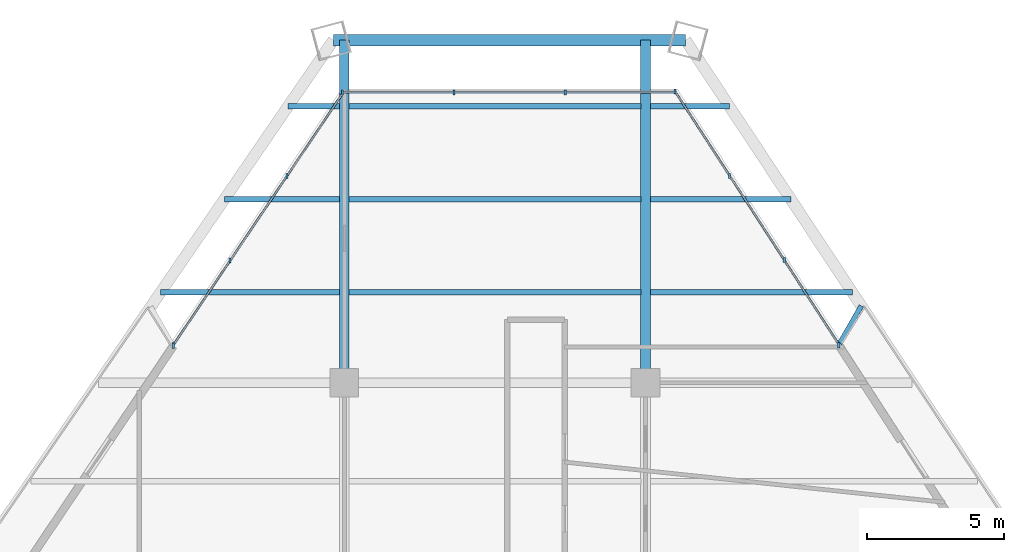
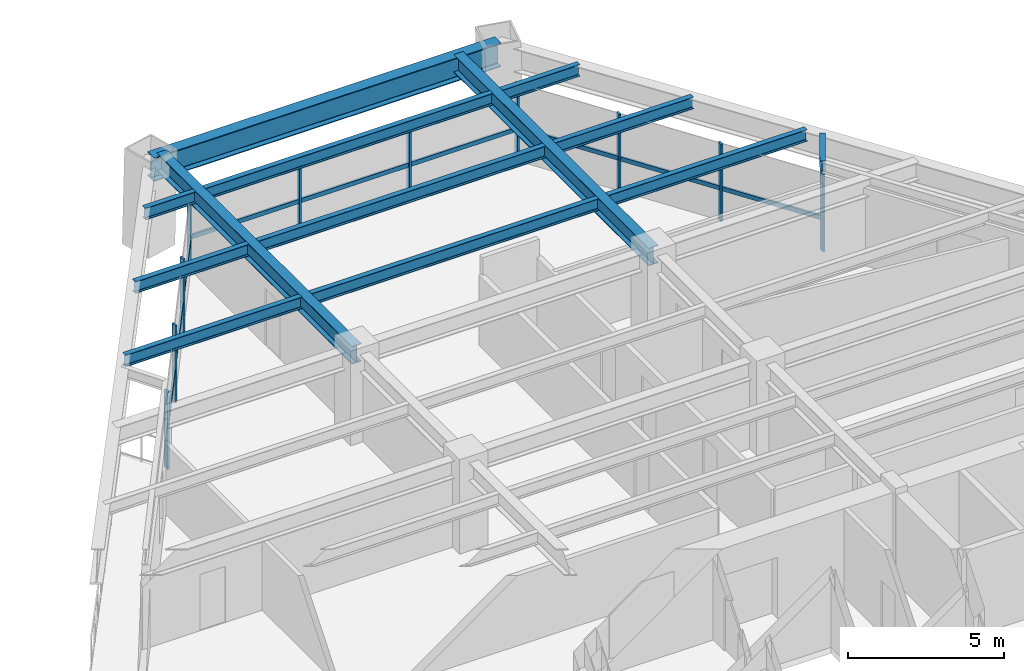
# One storey, part 8 of 14: 20 members, 13 beams, 3 elements without a shape of their own.
"""IFC4 building model written with IfcOpenShell, lengths in metres."""

from ifc_helpers import new_model, si_unit, direction, frame, origin, origin_2d, place, context, subcontext, project, spatial, rectangle, i_section, extrude, source, transform, mapped, material, material_profile, profile_set, type_object, element, aggregate, save


model = new_model("IFC4")

# Units and contexts
model_context = context("Model", 3, precision=1e-05, world=origin(), true_north=direction((0.0, 1.0)))
body_context = subcontext(model_context, "Body", "Model", "MODEL_VIEW")
ifc_project = project(units=[si_unit("LENGTHUNIT", "METRE"), si_unit("AREAUNIT", "SQUARE_METRE"), si_unit("VOLUMEUNIT", "CUBIC_METRE"), si_unit("PLANEANGLEUNIT", "RADIAN"), si_unit("MASSUNIT", "GRAM", prefix="KILO")], contexts=[model_context])

# Site, building, storey
site_placement = place(None, origin())
site = spatial("IfcSite", under=ifc_project, at=site_placement, CompositionType="ELEMENT")
building_placement = place(site_placement, origin())
building = spatial("IfcBuilding", under=site, at=building_placement, Name="Varnakhor Terracotta Tower", CompositionType="ELEMENT")
storey_placement = place(building_placement, frame((0.0, 0.0, 95.10009765625)))
storey = spatial("IfcBuildingStorey", under=building, at=storey_placement, Name="L23", CompositionType="ELEMENT", Elevation=95.10009765625)

# Beams
ifc_material_1 = material(Name="Steel S355", Category="steel")
ifc_material_profile_1 = material_profile(ifc_material_1, i_section(OverallWidth=0.19189453125, OverallDepth=0.462890625, WebThickness=0.010498046875, FlangeThickness=0.017578125, FilletRadius=0.01806640625, at=origin_2d()), Name="W18X60")
ifc_profile_set_1 = profile_set([ifc_material_profile_1], Name="Steel S355")
beam_type_1 = type_object("IfcBeamType", Name="JST-W18X60", PredefinedType="JOIST", material=ifc_profile_set_1)
shared_shape_1 = source(origin(), body_context, "Body", "SweptSolid", [
    extrude(i_section(OverallWidth=0.19189453125, OverallDepth=0.462890625, WebThickness=0.010498046875, FlangeThickness=0.017578125, FilletRadius=0.01806640625, at=origin_2d()), origin(), (0.0, 0.0, 1.0), 10.65283203125),
])
for number, where, z_axis, x_axis, name in (
    (1, (-5.326416015625, 34.800048828125, 3.218505859375), (1.0, 0.0, 0.0), (0.0, 1.0, 0.0), "L23 Composite Floor Joist 7-2"),
    (2, (-5.326416015625, 38.199951171875, 3.218505859375), (1.0, 0.0, 0.0), (0.0, 1.0, 0.0), "L23 Composite Floor Joist 8-2"),
    (3, (-5.326416015625, 41.60009765625, 3.218505859375), (1.0, 0.0, 0.0), (0.0, 1.0, 0.0), "L23 Composite Floor Joist 9-2"),
):
    element("IfcBeam", number, at=place(storey_placement, frame(where, z_axis=z_axis, x_axis=x_axis)), inside=storey, type_object=beam_type_1, Name=name, PredefinedType="JOIST", context=body_context, shape_type="MappedRepresentation", body=[
        mapped(shared_shape_1, transform((0.0, 0.0, 0.0), scale=1.0)),
    ])
ifc_material_profile_2 = material_profile(ifc_material_1, i_section(OverallWidth=0.41796875, OverallDepth=0.927001953125, WebThickness=0.01904296875, FlangeThickness=0.031982421875, FilletRadius=0.01806640625, at=origin_2d()), Name="W36X231")
ifc_profile_set_2 = profile_set([ifc_material_profile_2], Name="Steel S355")
beam_type_2 = type_object("IfcBeamType", Name="BM-W36X231", PredefinedType="BEAM", material=ifc_profile_set_2)
shared_shape_2 = source(origin(), body_context, "Body", "SweptSolid", [
    extrude(i_section(OverallWidth=0.41796875, OverallDepth=0.927001953125, WebThickness=0.01904296875, FlangeThickness=0.031982421875, FilletRadius=0.01806640625, at=origin_2d()), origin(), (0.0, 0.0, 1.0), 12.86083984375),
])
beam_1_placement = place(storey_placement, frame((6.963134765625, 44.014404296875, 2.986328125), z_axis=(-1.0, 0.0, 0.0), x_axis=(0.0, -1.0, 0.0)))
element("IfcBeam", 4, at=beam_1_placement, inside=storey, type_object=beam_type_2, Name="L23 Perimeter Spandrel 5", PredefinedType="BEAM", context=body_context, shape_type="MappedRepresentation", body=[
    mapped(shared_shape_2, transform((0.0, 0.0, 0.0), scale=1.0)),
])
ifc_material_profile_3 = material_profile(ifc_material_1, i_section(OverallWidth=0.35498046875, OverallDepth=0.695068359375, WebThickness=0.014892578125, FlangeThickness=0.02490234375, FilletRadius=0.01806640625, at=origin_2d()), Name="W27X146")
ifc_profile_set_3 = profile_set([ifc_material_profile_3], Name="Steel S355")
beam_type_3 = type_object("IfcBeamType", Name="BM-W27X146", PredefinedType="BEAM", material=ifc_profile_set_3)
shared_shape_3 = source(origin(), body_context, "Body", "SweptSolid", [
    extrude(i_section(OverallWidth=0.35498046875, OverallDepth=0.695068359375, WebThickness=0.014892578125, FlangeThickness=0.02490234375, FilletRadius=0.01806640625, at=origin_2d()), origin(), (0.0, 0.0, 1.0), 12.514404296875),
])
for number, where, z_axis, x_axis, name in (
    (5, (-5.5, 31.5, 3.102294921875), (0.0, 1.0, 0.0), (-1.0, 0.0, 0.0), "L23 Primary Girder NS3-W"),
    (6, (5.5, 31.5, 3.102294921875), (0.0, 1.0, 0.0), (-1.0, 0.0, 0.0), "L23 Primary Girder NS3-E"),
):
    element("IfcBeam", number, at=place(storey_placement, frame(where, z_axis=z_axis, x_axis=x_axis)), inside=storey, type_object=beam_type_3, Name=name, PredefinedType="BEAM", context=body_context, shape_type="MappedRepresentation", body=[
        mapped(shared_shape_3, transform((0.0, 0.0, 0.0), scale=1.0)),
    ])
shared_shape_4 = source(origin(), body_context, "Body", "SweptSolid", [
    extrude(i_section(OverallWidth=0.19189453125, OverallDepth=0.462890625, WebThickness=0.010498046875, FlangeThickness=0.017578125, FilletRadius=0.01806640625, at=origin_2d()), origin(), (0.0, 0.0, 1.0), 6.539306640625),
])
beam_2_placement = place(storey_placement, frame((-12.212890625, 34.800048828125, 3.218505859375), z_axis=(1.0, 0.0, 0.0), x_axis=(0.0, 1.0, 0.0)))
element("IfcBeam", 7, at=beam_2_placement, inside=storey, type_object=beam_type_1, Name="L23 Composite Floor Joist 7-1", PredefinedType="JOIST", context=body_context, shape_type="MappedRepresentation", body=[
    mapped(shared_shape_4, transform((0.0, 0.0, 0.0), scale=1.0)),
])
shared_shape_5 = source(origin(), body_context, "Body", "SweptSolid", [
    extrude(i_section(OverallWidth=0.19189453125, OverallDepth=0.462890625, WebThickness=0.010498046875, FlangeThickness=0.017578125, FilletRadius=0.01806640625, at=origin_2d()), origin(), (0.0, 0.0, 1.0), 7.3818359375),
])
beam_3_placement = place(storey_placement, frame((5.673583984375, 34.800048828125, 3.218505859375), z_axis=(1.0, 0.0, 0.0), x_axis=(0.0, 1.0, 0.0)))
element("IfcBeam", 8, at=beam_3_placement, inside=storey, type_object=beam_type_1, Name="L23 Composite Floor Joist 7-3", PredefinedType="JOIST", context=body_context, shape_type="MappedRepresentation", body=[
    mapped(shared_shape_5, transform((0.0, 0.0, 0.0), scale=1.0)),
])
shared_shape_6 = source(origin(), body_context, "Body", "SweptSolid", [
    extrude(i_section(OverallWidth=0.19189453125, OverallDepth=0.462890625, WebThickness=0.010498046875, FlangeThickness=0.017578125, FilletRadius=0.01806640625, at=origin_2d()), origin(), (0.0, 0.0, 1.0), 4.208984375),
])
beam_4_placement = place(storey_placement, frame((-9.882568359375, 38.199951171875, 3.218505859375), z_axis=(1.0, 0.0, 0.0), x_axis=(0.0, 1.0, 0.0)))
element("IfcBeam", 9, at=beam_4_placement, inside=storey, type_object=beam_type_1, Name="L23 Composite Floor Joist 8-1", PredefinedType="JOIST", context=body_context, shape_type="MappedRepresentation", body=[
    mapped(shared_shape_6, transform((0.0, 0.0, 0.0), scale=1.0)),
])
shared_shape_7 = source(origin(), body_context, "Body", "SweptSolid", [
    extrude(i_section(OverallWidth=0.19189453125, OverallDepth=0.462890625, WebThickness=0.010498046875, FlangeThickness=0.017578125, FilletRadius=0.01806640625, at=origin_2d()), origin(), (0.0, 0.0, 1.0), 5.1337890625),
])
beam_5_placement = place(storey_placement, frame((5.673583984375, 38.199951171875, 3.218505859375), z_axis=(1.0, 0.0, 0.0), x_axis=(0.0, 1.0, 0.0)))
element("IfcBeam", 10, at=beam_5_placement, inside=storey, type_object=beam_type_1, Name="L23 Composite Floor Joist 8-3", PredefinedType="JOIST", context=body_context, shape_type="MappedRepresentation", body=[
    mapped(shared_shape_7, transform((0.0, 0.0, 0.0), scale=1.0)),
])
shared_shape_8 = source(origin(), body_context, "Body", "SweptSolid", [
    extrude(i_section(OverallWidth=0.19189453125, OverallDepth=0.462890625, WebThickness=0.010498046875, FlangeThickness=0.017578125, FilletRadius=0.01806640625, at=origin_2d()), origin(), (0.0, 0.0, 1.0), 1.878662109375),
])
beam_6_placement = place(storey_placement, frame((-7.55224609375, 41.60009765625, 3.218505859375), z_axis=(1.0, 0.0, 0.0), x_axis=(0.0, 1.0, 0.0)))
element("IfcBeam", 11, at=beam_6_placement, inside=storey, type_object=beam_type_1, Name="L23 Composite Floor Joist 9-1", PredefinedType="JOIST", context=body_context, shape_type="MappedRepresentation", body=[
    mapped(shared_shape_8, transform((0.0, 0.0, 0.0), scale=1.0)),
])
shared_shape_9 = source(origin(), body_context, "Body", "SweptSolid", [
    extrude(i_section(OverallWidth=0.19189453125, OverallDepth=0.462890625, WebThickness=0.010498046875, FlangeThickness=0.017578125, FilletRadius=0.01806640625, at=origin_2d()), origin(), (0.0, 0.0, 1.0), 2.8857421875),
])
beam_7_placement = place(storey_placement, frame((5.673583984375, 41.60009765625, 3.218505859375), z_axis=(1.0, 0.0, 0.0), x_axis=(0.0, 1.0, 0.0)))
element("IfcBeam", 12, at=beam_7_placement, inside=storey, type_object=beam_type_1, Name="L23 Composite Floor Joist 9-3", PredefinedType="JOIST", context=body_context, shape_type="MappedRepresentation", body=[
    mapped(shared_shape_9, transform((0.0, 0.0, 0.0), scale=1.0)),
])

# Curtain wall, members
ifc_material_2 = material(Name="Anodised Aluminium Curtain Wall System", Category="aluminium")
curtain_wall_type = type_object("IfcCurtainWallType", Name="CW-SYS-LOW-OFFICE", PredefinedType="NOTDEFINED", material=ifc_material_2)
curtain_wall_1_placement = place(storey_placement, origin())
curtain_wall_1 = element("IfcCurtainWall", 13, at=curtain_wall_1_placement, inside=storey, type_object=curtain_wall_type, Name="L23 W Facet Curtain Wall 2", PredefinedType="NOTDEFINED")
ifc_material_3 = material(Name="Anodised Aluminium 6063-T6", Category="aluminium")
ifc_material_profile_4 = material_profile(ifc_material_3, rectangle(XDim=0.074951171875, YDim=0.18505859375, at=origin_2d()), Name="ALU MULLION 75x185")
ifc_profile_set_4 = profile_set([ifc_material_profile_4], Name="Anodised Aluminium 6063-T6")
member_type_1 = type_object("IfcMemberType", Name="CWM-02", PredefinedType="MULLION", material=ifc_profile_set_4)
shared_shape_10 = source(origin(), body_context, "Body", "SweptSolid", [
    extrude(rectangle(XDim=0.074951171875, YDim=0.18505859375, at=origin_2d()), origin(), (0.0, 0.0, 1.0), 3.02978515625),
])
member_1_placement = place(storey_placement, frame((-11.75048828125, 32.869384765625, 0.0), z_axis=(0.0, 0.0, 1.0), x_axis=(1.0, 0.0, 0.0)))
member_1 = element("IfcMember", 14, at=member_1_placement, type_object=member_type_1, Name="L23 W Facet Curtain Wall 2 Mullion 1", PredefinedType="MULLION", context=body_context, shape_type="MappedRepresentation", body=[
    mapped(shared_shape_10, transform((0.0, 0.0, 0.0), scale=1.0)),
])
member_2_placement = place(storey_placement, frame((-9.673828125, 35.95751953125, 0.0), z_axis=(0.0, 0.0, 1.0), x_axis=(1.0, 0.0, 0.0)))
member_2 = element("IfcMember", 15, at=member_2_placement, type_object=member_type_1, Name="L23 W Facet Curtain Wall 2 Mullion 2", PredefinedType="MULLION", context=body_context, shape_type="MappedRepresentation", body=[
    mapped(shared_shape_10, transform((0.0, 0.0, 0.0), scale=1.0)),
])
member_3_placement = place(storey_placement, frame((-7.59716796875, 39.04541015625, 0.0), z_axis=(0.0, 0.0, 1.0), x_axis=(1.0, 0.0, 0.0)))
member_3 = element("IfcMember", 16, at=member_3_placement, type_object=member_type_1, Name="L23 W Facet Curtain Wall 2 Mullion 3", PredefinedType="MULLION", context=body_context, shape_type="MappedRepresentation", body=[
    mapped(shared_shape_10, transform((0.0, 0.0, 0.0), scale=1.0)),
])
member_4_placement = place(storey_placement, frame((-11.75048828125, 32.83349609375, 0.0), z_axis=(0.0, 0.0, 1.0), x_axis=(1.0, 0.0, 0.0)))
member_4 = element("IfcMember", 17, at=member_4_placement, type_object=member_type_1, Name="L23 W Loggia Jamb Closure Mullion 2", PredefinedType="MULLION", context=body_context, shape_type="MappedRepresentation", body=[
    mapped(shared_shape_10, transform((0.0, 0.0, 0.0), scale=1.0)),
])

curtain_wall_2_placement = place(storey_placement, origin())
curtain_wall_2 = element("IfcCurtainWall", 18, at=curtain_wall_2_placement, inside=storey, type_object=curtain_wall_type, Name="L23 Facet Curtain Wall 2", PredefinedType="NOTDEFINED")
member_5_placement = place(storey_placement, frame((-5.573486328125, 42.10498046875, 0.0), z_axis=(0.0, 0.0, 1.0), x_axis=(1.0, 0.0, 0.0)))
member_5 = element("IfcMember", 19, at=member_5_placement, type_object=member_type_1, Name="L23 Facet Curtain Wall 2 Mullion 1", PredefinedType="MULLION", context=body_context, shape_type="MappedRepresentation", body=[
    mapped(shared_shape_10, transform((0.0, 0.0, 0.0), scale=1.0)),
])
member_6_placement = place(storey_placement, frame((-1.502685546875, 42.10498046875, 0.0), z_axis=(0.0, 0.0, 1.0), x_axis=(1.0, 0.0, 0.0)))
member_6 = element("IfcMember", 20, at=member_6_placement, type_object=member_type_1, Name="L23 Facet Curtain Wall 2 Mullion 2", PredefinedType="MULLION", context=body_context, shape_type="MappedRepresentation", body=[
    mapped(shared_shape_10, transform((0.0, 0.0, 0.0), scale=1.0)),
])
member_7_placement = place(storey_placement, frame((2.568115234375, 42.10498046875, 0.0), z_axis=(0.0, 0.0, 1.0), x_axis=(1.0, 0.0, 0.0)))
member_7 = element("IfcMember", 21, at=member_7_placement, type_object=member_type_1, Name="L23 Facet Curtain Wall 2 Mullion 3", PredefinedType="MULLION", context=body_context, shape_type="MappedRepresentation", body=[
    mapped(shared_shape_10, transform((0.0, 0.0, 0.0), scale=1.0)),
])

curtain_wall_3_placement = place(storey_placement, origin())
curtain_wall_3 = element("IfcCurtainWall", 22, at=curtain_wall_3_placement, inside=storey, type_object=curtain_wall_type, Name="L23 E Facet Curtain Wall 1", PredefinedType="NOTDEFINED")
member_8_placement = place(storey_placement, frame((6.584228515625, 42.134521484375, 0.0), z_axis=(0.0, 0.0, 1.0), x_axis=(1.0, 0.0, 0.0)))
member_8 = element("IfcMember", 23, at=member_8_placement, type_object=member_type_1, Name="L23 E Facet Curtain Wall 1 Mullion 1", PredefinedType="MULLION", context=body_context, shape_type="MappedRepresentation", body=[
    mapped(shared_shape_10, transform((0.0, 0.0, 0.0), scale=1.0)),
])
member_9_placement = place(storey_placement, frame((8.57568359375, 39.05810546875, 0.0), z_axis=(0.0, 0.0, 1.0), x_axis=(1.0, 0.0, 0.0)))
member_9 = element("IfcMember", 24, at=member_9_placement, type_object=member_type_1, Name="L23 E Facet Curtain Wall 1 Mullion 2", PredefinedType="MULLION", context=body_context, shape_type="MappedRepresentation", body=[
    mapped(shared_shape_10, transform((0.0, 0.0, 0.0), scale=1.0)),
])
member_10_placement = place(storey_placement, frame((10.56689453125, 35.981689453125, 0.0), z_axis=(0.0, 0.0, 1.0), x_axis=(1.0, 0.0, 0.0)))
member_10 = element("IfcMember", 25, at=member_10_placement, type_object=member_type_1, Name="L23 E Facet Curtain Wall 1 Mullion 3", PredefinedType="MULLION", context=body_context, shape_type="MappedRepresentation", body=[
    mapped(shared_shape_10, transform((0.0, 0.0, 0.0), scale=1.0)),
])
member_11_placement = place(storey_placement, frame((12.557861328125, 32.869140625, 0.0), z_axis=(0.0, 0.0, 1.0), x_axis=(1.0, 0.0, 0.0)))
member_11 = element("IfcMember", 26, at=member_11_placement, type_object=member_type_1, Name="L23 E Loggia Jamb Closure Mullion 1", PredefinedType="MULLION", context=body_context, shape_type="MappedRepresentation", body=[
    mapped(shared_shape_10, transform((0.0, 0.0, 0.0), scale=1.0)),
])

# Member
ifc_material_profile_5 = material_profile(ifc_material_3, rectangle(XDim=0.074951171875, YDim=0.1650390625, at=origin_2d()), Name="ALU TRANSOM 75x165")
ifc_profile_set_5 = profile_set([ifc_material_profile_5], Name="Anodised Aluminium 6063-T6")
member_type_2 = type_object("IfcMemberType", Name="CWT-02", PredefinedType="USERDEFINED", material=ifc_profile_set_5)
shared_shape_11 = source(origin(), body_context, "Body", "SweptSolid", [
    extrude(rectangle(XDim=0.074951171875, YDim=0.1650390625, at=origin_2d()), origin(), (0.0, 0.0, 1.0), 3.72119140625),
])
member_12_placement = place(storey_placement, frame((-9.673828125, 35.95751953125, 1.2724609375), z_axis=(0.558056789435, 0.829802759555, 0.0), x_axis=(-0.829802759555, 0.558056789435, 0.0)))
member_12 = element("IfcMember", 27, at=member_12_placement, type_object=member_type_2, Name="L23 W Facet Curtain Wall 2 Transom 2", ObjectType="TRANSOM", PredefinedType="USERDEFINED", context=body_context, shape_type="MappedRepresentation", body=[
    mapped(shared_shape_11, transform((0.0, 0.0, 0.0), scale=1.0)),
])

shared_shape_12 = source(origin(), body_context, "Body", "SweptSolid", [
    extrude(rectangle(XDim=0.074951171875, YDim=0.1650390625, at=origin_2d()), origin(), (0.0, 0.0, 1.0), 3.721435546875),
])
member_13_placement = place(storey_placement, frame((-11.75048828125, 32.869384765625, 1.2724609375), z_axis=(0.55802640942, 0.829823189836, 0.0), x_axis=(-0.829823189836, 0.55802640942, 0.0)))
member_13 = element("IfcMember", 28, at=member_13_placement, type_object=member_type_2, Name="L23 W Facet Curtain Wall 2 Transom 1", ObjectType="TRANSOM", PredefinedType="USERDEFINED", context=body_context, shape_type="MappedRepresentation", body=[
    mapped(shared_shape_12, transform((0.0, 0.0, 0.0), scale=1.0)),
])

shared_shape_13 = source(origin(), body_context, "Body", "SweptSolid", [
    extrude(rectangle(XDim=0.074951171875, YDim=0.1650390625, at=origin_2d()), origin(), (0.0, 0.0, 1.0), 3.720947265625),
])
member_14_placement = place(storey_placement, frame((-7.59716796875, 39.04541015625, 1.2724609375), z_axis=(0.558087172011, 0.829782325937, 0.0), x_axis=(-0.829782325937, 0.558087172011, 0.0)))
member_14 = element("IfcMember", 29, at=member_14_placement, type_object=member_type_2, Name="L23 W Facet Curtain Wall 2 Transom 3", ObjectType="TRANSOM", PredefinedType="USERDEFINED", context=body_context, shape_type="MappedRepresentation", body=[
    mapped(shared_shape_13, transform((0.0, 0.0, 0.0), scale=1.0)),
])

aggregate(curtain_wall_1, [member_1, member_13, member_2, member_12, member_3, member_14, member_4])

shared_shape_14 = source(origin(), body_context, "Body", "SweptSolid", [
    extrude(rectangle(XDim=0.074951171875, YDim=0.1650390625, at=origin_2d()), origin(), (0.0, 0.0, 1.0), 4.07080078125),
])
member_15_placement = place(storey_placement, frame((-5.573486328125, 42.10498046875, 1.2724609375), z_axis=(1.0, 0.0, 0.0), x_axis=(0.0, 1.0, 0.0)))
member_15 = element("IfcMember", 30, at=member_15_placement, type_object=member_type_2, Name="L23 Facet Curtain Wall 2 Transom 1", ObjectType="TRANSOM", PredefinedType="USERDEFINED", context=body_context, shape_type="MappedRepresentation", body=[
    mapped(shared_shape_14, transform((0.0, 0.0, 0.0), scale=1.0)),
])

member_16_placement = place(storey_placement, frame((-1.502685546875, 42.10498046875, 1.2724609375), z_axis=(1.0, 0.0, 0.0), x_axis=(0.0, 1.0, 0.0)))
member_16 = element("IfcMember", 31, at=member_16_placement, type_object=member_type_2, Name="L23 Facet Curtain Wall 2 Transom 2", ObjectType="TRANSOM", PredefinedType="USERDEFINED", context=body_context, shape_type="MappedRepresentation", body=[
    mapped(shared_shape_14, transform((0.0, 0.0, 0.0), scale=1.0)),
])

shared_shape_15 = source(origin(), body_context, "Body", "SweptSolid", [
    extrude(rectangle(XDim=0.074951171875, YDim=0.1650390625, at=origin_2d()), origin(), (0.0, 0.0, 1.0), 4.070556640625),
])
member_17_placement = place(storey_placement, frame((2.568115234375, 42.10498046875, 1.2724609375), z_axis=(1.0, 0.0, 0.0), x_axis=(0.0, 1.0, 0.0)))
member_17 = element("IfcMember", 32, at=member_17_placement, type_object=member_type_2, Name="L23 Facet Curtain Wall 2 Transom 3", ObjectType="TRANSOM", PredefinedType="USERDEFINED", context=body_context, shape_type="MappedRepresentation", body=[
    mapped(shared_shape_15, transform((0.0, 0.0, 0.0), scale=1.0)),
])

aggregate(curtain_wall_2, [member_5, member_15, member_6, member_16, member_7, member_17])

shared_shape_16 = source(origin(), body_context, "Body", "SweptSolid", [
    extrude(rectangle(XDim=0.074951171875, YDim=0.1650390625, at=origin_2d()), origin(), (0.0, 0.0, 1.0), 3.664794921875),
])
member_18_placement = place(storey_placement, frame((6.584228515625, 42.134521484375, 1.2724609375), z_axis=(0.543411478924, -0.839466476146, 0.0), x_axis=(0.839466476146, 0.543411478924, 0.0)))
member_18 = element("IfcMember", 33, at=member_18_placement, type_object=member_type_2, Name="L23 E Facet Curtain Wall 1 Transom 1", ObjectType="TRANSOM", PredefinedType="USERDEFINED", context=body_context, shape_type="MappedRepresentation", body=[
    mapped(shared_shape_16, transform((0.0, 0.0, 0.0), scale=1.0)),
])

member_19_placement = place(storey_placement, frame((10.56689453125, 35.981689453125, 1.2724609375), z_axis=(0.543411478924, -0.839466476146, 0.0), x_axis=(0.839466476146, 0.543411478924, 0.0)))
member_19 = element("IfcMember", 34, at=member_19_placement, type_object=member_type_2, Name="L23 E Facet Curtain Wall 1 Transom 3", ObjectType="TRANSOM", PredefinedType="USERDEFINED", context=body_context, shape_type="MappedRepresentation", body=[
    mapped(shared_shape_16, transform((0.0, 0.0, 0.0), scale=1.0)),
])

shared_shape_17 = source(origin(), body_context, "Body", "SweptSolid", [
    extrude(rectangle(XDim=0.074951171875, YDim=0.1650390625, at=origin_2d()), origin(), (0.0, 0.0, 1.0), 3.66455078125),
])
member_20_placement = place(storey_placement, frame((8.57568359375, 39.05810546875, 1.2724609375), z_axis=(0.543364529676, -0.83949686592, 0.0), x_axis=(0.83949686592, 0.543364529676, 0.0)))
member_20 = element("IfcMember", 35, at=member_20_placement, type_object=member_type_2, Name="L23 E Facet Curtain Wall 1 Transom 2", ObjectType="TRANSOM", PredefinedType="USERDEFINED", context=body_context, shape_type="MappedRepresentation", body=[
    mapped(shared_shape_17, transform((0.0, 0.0, 0.0), scale=1.0)),
])

aggregate(curtain_wall_3, [member_8, member_18, member_9, member_20, member_10, member_19, member_11])

# Beam
ifc_material_profile_6 = material_profile(ifc_material_1, i_section(OverallWidth=0.179931640625, OverallDepth=0.39990234375, WebThickness=0.008544921875, FlangeThickness=0.013427734375, FilletRadius=0.01806640625, at=origin_2d()), Name="IPE400")
ifc_profile_set_6 = profile_set([ifc_material_profile_6], Name="Steel S355")
beam_type_4 = type_object("IfcBeamType", Name="JST-IPE400", PredefinedType="JOIST", material=ifc_profile_set_6)
shared_shape_18 = source(origin(), body_context, "Body", "SweptSolid", [
    extrude(i_section(OverallWidth=0.179931640625, OverallDepth=0.39990234375, WebThickness=0.008544921875, FlangeThickness=0.013427734375, FilletRadius=0.01806640625, at=origin_2d()), origin(), (0.0, 0.0, 1.0), 1.588134765625),
])
beam_8_placement = place(storey_placement, frame((12.590576171875, 32.929443359375, 3.25), z_axis=(0.498058062668, 0.867143682565, 0.0), x_axis=(-0.867143682565, 0.498058062668, 0.0)))
element("IfcBeam", 36, at=beam_8_placement, inside=storey, type_object=beam_type_4, Name="L24 E Loggia Tie Beam 1", PredefinedType="JOIST", context=body_context, shape_type="MappedRepresentation", body=[
    mapped(shared_shape_18, transform((0.0, 0.0, 0.0), scale=1.0)),
])

save(model, "model.ifc")
